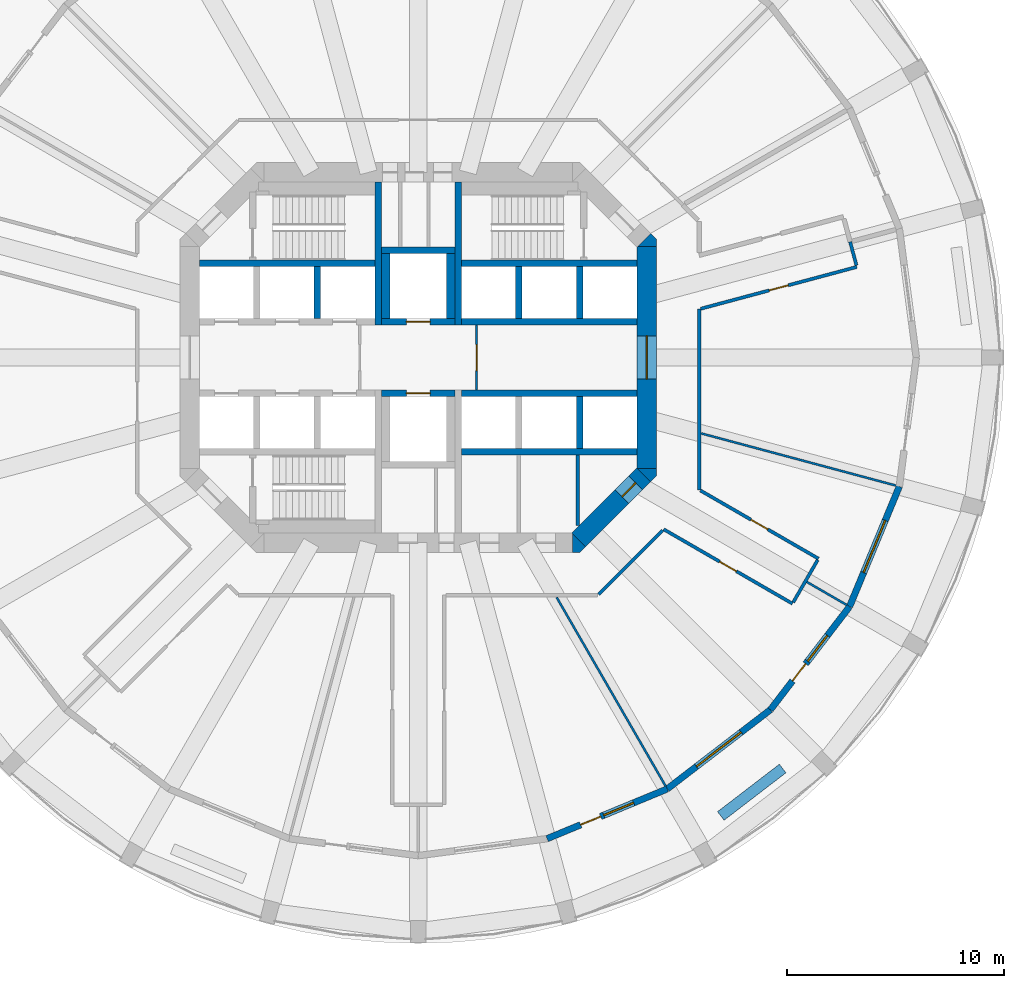
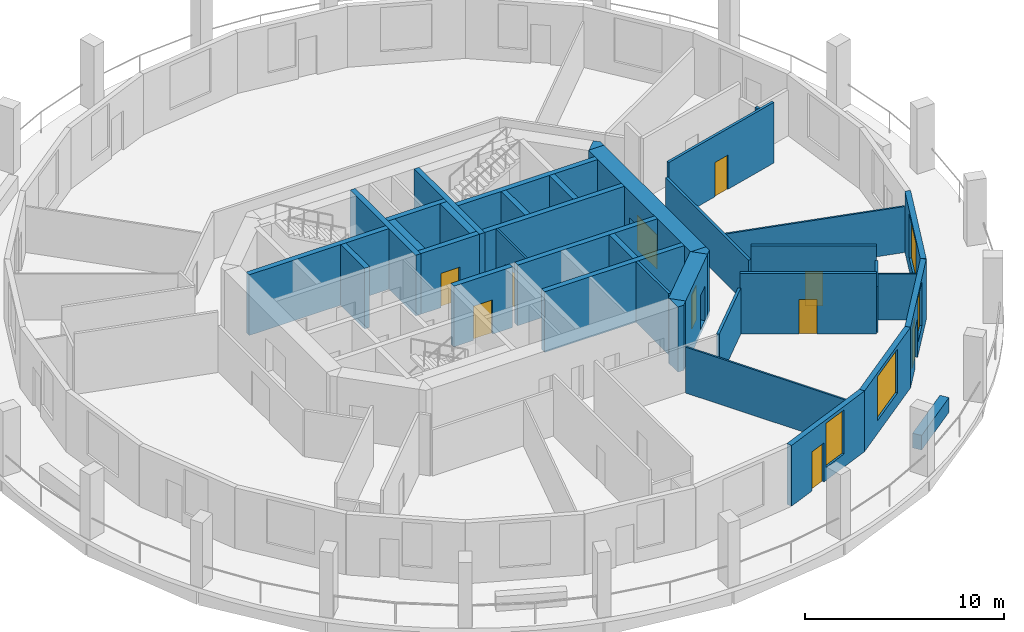
# One storey, part 4 of 9: 38 walls, 10 doors, 4 windows, 14 openings.
"""IFC4 building model written with IfcOpenShell, lengths in metres."""

from ifc_helpers import new_model, si_unit, direction, frame, frame_2d, origin, place, context, subcontext, project, spatial, polyline, rectangle, outline, extrude, material, layer, layer_set, type_object, element, fill, save


model = new_model("IFC4")

# Units and contexts
model_context = context("Model", 3, precision=1e-05, world=origin(), true_north=direction((0.0, 1.0)))
body_context = subcontext(model_context, "Body", "Model", "MODEL_VIEW")
ifc_project = project(units=[si_unit("LENGTHUNIT", "METRE"), si_unit("AREAUNIT", "SQUARE_METRE"), si_unit("VOLUMEUNIT", "CUBIC_METRE"), si_unit("PLANEANGLEUNIT", "RADIAN"), si_unit("MASSUNIT", "GRAM", prefix="KILO")], contexts=[model_context])

# Site, building, storey
site_placement = place(None, origin())
site = spatial("IfcSite", under=ifc_project, at=site_placement, CompositionType="ELEMENT")
building_placement = place(site_placement, origin())
building = spatial("IfcBuilding", under=site, at=building_placement, Name="Torre Triforio", CompositionType="ELEMENT")
storey_placement = place(building_placement, frame((0.0, 0.0, 43.0)))
storey = spatial("IfcBuildingStorey", under=building, at=storey_placement, Name="L08", CompositionType="ELEMENT", Elevation=43.0)

# Walls
ifc_material_1 = material(Name="Concrete C60", Category="concrete")
ifc_layer_1 = layer(ifc_material_1, 0.300048828125)
ifc_layer_set_1 = layer_set([ifc_layer_1], Name="Concrete C60")
wall_type_1 = type_object("IfcWallType", Name="Core wall 300 mm C60 EI 120", PredefinedType="SHEAR", material=ifc_layer_set_1)
for number, where, z_axis, x_axis, name in (
    (1, (-1.85009765625, 1.5, 0.0), (0.0, 0.0, 1.0), (0.0, 1.0, 0.0), "Core wall"),
    (2, (1.85009765625, 1.5, 0.0), (0.0, 0.0, 1.0), (0.0, 1.0, 0.0), "Core wall"),
):
    element("IfcWall", number, at=place(storey_placement, frame(where, z_axis=z_axis, x_axis=x_axis)), inside=storey, type_object=wall_type_1, Name=name, PredefinedType="SHEAR", context=body_context, shape_type="SweptSolid", body=[
        extrude(rectangle(XDim=6.60009765625, YDim=0.300048828125, at=frame_2d((3.300048828125, 0.0))), origin(), (0.0, 0.0, 1.0), 3.719970703125),
    ])

# Wall, opening, door
ifc_layer_2 = layer(ifc_material_1, 0.89990234375)
ifc_layer_set_2 = layer_set([ifc_layer_2], Name="Concrete C60")
wall_type_2 = type_object("IfcWallType", Name="Core wall 900 mm C60 EI 120", PredefinedType="SHEAR", material=ifc_layer_set_2)
wall_1_placement = place(storey_placement, frame((10.550048828125, -5.1298828125, -0.280029296875), z_axis=(0.0, 0.0, 1.0), x_axis=(0.0, 1.0, 0.0)))
wall_1 = element("IfcWall", 3, at=wall_1_placement, inside=storey, type_object=wall_type_2, Name="Core wall", PredefinedType="SHEAR", context=body_context, shape_type="SweptSolid", body=[
    extrude(rectangle(XDim=10.259765625, YDim=0.89990234375, at=frame_2d((5.1298828125, 0.0))), origin(), (0.0, 0.0, 1.0), 4.0),
])
opening_1_placement = place(wall_1_placement, frame((4.1298828125, 0.0, 0.280029296875)))
opening_1 = element("IfcOpeningElement", 4, at=opening_1_placement, cuts=wall_1, Name="Opening E-RING", PredefinedType="OPENING", context=body_context, shape_type="SweptSolid", body=[
    extrude(rectangle(XDim=2.0, YDim=2.10009765625, at=frame_2d((1.0, 1.050048828125))), frame((0.0, 0.4599609375, 0.0), z_axis=(0.0, -1.0, 0.0), x_axis=(1.0, 0.0, 0.0)), (0.0, 0.0, 1.0), 0.919921875),
])
ifc_material_2 = material(Name="Hollow metal fire door leaf")
door_type_1 = type_object("IfcDoorType", Name="Lobby door 2000 x 2100 EI 60", OperationType="DOUBLE_DOOR_SINGLE_SWING", PredefinedType="DOOR", material=ifc_material_2)
door_1_placement = place(opening_1_placement, origin())
door_1 = element("IfcDoor", 5, at=door_1_placement, inside=storey, type_object=door_type_1, Name="Core door E-RING", OperationType="DOUBLE_DOOR_SINGLE_SWING", OverallHeight=2.10009765625, OverallWidth=2.0, PredefinedType="DOOR", context=body_context, shape_type="SweptSolid", body=[
    extrude(rectangle(XDim=2.0, YDim=2.10009765625, at=frame_2d((1.0, 1.050048828125))), frame((0.0, 0.02490234375, 0.0), z_axis=(0.0, -1.0, 0.0), x_axis=(1.0, 0.0, 0.0)), (0.0, 0.0, 1.0), 0.050048828125),
])
fill(opening_1, door_1)

wall_2_placement = place(storey_placement, frame((10.418212890625, -5.418212890625, -0.280029296875), z_axis=(0.0, 0.0, 1.0), x_axis=(-0.707106781187, -0.707106781187, 0.0)))
wall_2 = element("IfcWall", 6, at=wall_2_placement, inside=storey, type_object=wall_type_2, Name="Core wall", PredefinedType="SHEAR", context=body_context, shape_type="SweptSolid", body=[
    extrude(rectangle(XDim=4.24267578125, YDim=0.89990234375, at=frame_2d((2.121337890625, 0.0))), origin(), (0.0, 0.0, 1.0), 4.0),
])
opening_2_placement = place(wall_2_placement, frame((0.52001953125, 0.0, 0.280029296875)))
opening_2 = element("IfcOpeningElement", 7, at=opening_2_placement, cuts=wall_2, Name="Opening SE-03", PredefinedType="OPENING", context=body_context, shape_type="SweptSolid", body=[
    extrude(rectangle(XDim=0.89990234375, YDim=2.10009765625, at=frame_2d((0.449951171875, 1.050048828125))), frame((0.0, 0.4599609375, 0.0), z_axis=(0.0, -1.0, 0.0), x_axis=(1.0, 0.0, 0.0)), (0.0, 0.0, 1.0), 0.919921875),
])
door_type_2 = type_object("IfcDoorType", Name="Room door 900 x 2100 EI 60", OperationType="NOTDEFINED", PredefinedType="DOOR", material=ifc_material_2)
door_2_placement = place(opening_2_placement, origin())
door_2 = element("IfcDoor", 8, at=door_2_placement, inside=storey, type_object=door_type_2, Name="Core door SE-03", OperationType="SINGLE_SWING_RIGHT", OverallHeight=2.10009765625, OverallWidth=0.89990234375, PredefinedType="DOOR", context=body_context, shape_type="SweptSolid", body=[
    extrude(rectangle(XDim=0.89990234375, YDim=2.10009765625, at=frame_2d((0.449951171875, 1.050048828125))), frame((0.0, 0.02490234375, 0.0), z_axis=(0.0, -1.0, 0.0), x_axis=(1.0, 0.0, 0.0)), (0.0, 0.0, 1.0), 0.050048828125),
])
fill(opening_2, door_2)

# Walls
wall_3_placement = place(storey_placement, frame((0.0, 0.0, -0.280029296875)))
element("IfcWall", 9, at=wall_3_placement, inside=storey, type_object=wall_type_2, Name="Core wall", PredefinedType="SHEAR", context=body_context, shape_type="SweptSolid", body=[
    extrude(outline(polyline([(7.472900390625, -9.0), (7.1298828125, -9.0), (7.1298828125, -8.1298828125), (7.736328125, -8.736328125), (7.472900390625, -9.0)])), origin(), (0.0, 0.0, 1.0), 4.0),
])
wall_4_placement = place(storey_placement, frame((0.0, 0.0, -0.280029296875)))
element("IfcWall", 10, at=wall_4_placement, inside=storey, type_object=wall_type_2, Name="Core wall", PredefinedType="SHEAR", context=body_context, shape_type="SweptSolid", body=[
    extrude(outline(polyline([(11.0, -5.472900390625), (10.736328125, -5.736328125), (10.1298828125, -5.1298828125), (11.0, -5.1298828125), (11.0, -5.472900390625)])), origin(), (0.0, 0.0, 1.0), 4.0),
])
wall_5_placement = place(storey_placement, frame((0.0, 0.0, -0.280029296875)))
element("IfcWall", 11, at=wall_5_placement, inside=storey, type_object=wall_type_2, Name="Core wall", PredefinedType="SHEAR", context=body_context, shape_type="SweptSolid", body=[
    extrude(outline(polyline([(11.0, 5.472900390625), (11.0, 5.1298828125), (10.1298828125, 5.1298828125), (10.736328125, 5.736328125), (11.0, 5.472900390625)])), origin(), (0.0, 0.0, 1.0), 4.0),
])
ifc_material_3 = material(Name="Plasterboard on metal studs")
ifc_layer_3 = layer(ifc_material_3, 0.14990234375)
ifc_layer_set_3 = layer_set([ifc_layer_3], Name="Plasterboard on metal studs")
wall_type_3 = type_object("IfcWallType", Name="Corridor and tenancy wall 150 mm EI 60", PredefinedType="PARTITIONING", material=ifc_layer_set_3)
wall_6_placement = place(storey_placement, frame((18.44482421875, -9.35009765625, 0.0), z_axis=(0.0, 0.0, 1.0), x_axis=(-0.500013631625, -0.866017533419, 0.0)))
element("IfcWall", 12, at=wall_6_placement, inside=storey, type_object=wall_type_3, Name="Partition 1", PredefinedType="PARTITIONING", context=body_context, shape_type="SweptSolid", body=[
    extrude(rectangle(XDim=2.25, YDim=0.14990234375, at=frame_2d((1.125, 0.0))), origin(), (0.0, 0.0, 1.0), 2.820068359375),
])

# Wall, opening, door
wall_7_placement = place(storey_placement, frame((17.2822265625, -11.363525390625, 0.0), z_axis=(0.0, 0.0, 1.0), x_axis=(-0.86603341746, 0.49998611965, 0.0)))
wall_7 = element("IfcWall", 13, at=wall_7_placement, inside=storey, type_object=wall_type_3, Name="Partition 2", PredefinedType="PARTITIONING", context=body_context, shape_type="SweptSolid", body=[
    extrude(rectangle(XDim=6.866455078125, YDim=0.14990234375, at=frame_2d((3.43310546875, 0.0))), origin(), (0.0, 0.0, 1.0), 3.719970703125),
])
opening_3_placement = place(wall_7_placement, frame((2.9833984375, 0.0, 0.0)))
opening_3 = element("IfcOpeningElement", 14, at=opening_3_placement, cuts=wall_7, Name="Opening N2-08", PredefinedType="OPENING", context=body_context, shape_type="SweptSolid", body=[
    extrude(rectangle(XDim=0.89990234375, YDim=2.10009765625, at=frame_2d((0.449951171875, 1.050048828125))), frame((0.0, 0.0849609375, 0.0), z_axis=(0.0, -1.0, 0.0), x_axis=(1.0, 0.0, 0.0)), (0.0, 0.0, 1.0), 0.169921875),
])
ifc_material_4 = material(Name="Timber", Category="wood")
door_type_3 = type_object("IfcDoorType", Name="Door 900 x 2100 single leaf EI 30", OperationType="NOTDEFINED", PredefinedType="DOOR", material=ifc_material_4)
door_3_placement = place(opening_3_placement, origin())
door_3 = element("IfcDoor", 15, at=door_3_placement, inside=storey, type_object=door_type_3, Name="Door N2-08", OperationType="SINGLE_SWING_RIGHT", OverallHeight=2.10009765625, OverallWidth=0.89990234375, PredefinedType="DOOR", context=body_context, shape_type="SweptSolid", body=[
    extrude(rectangle(XDim=0.89990234375, YDim=2.10009765625, at=frame_2d((0.449951171875, 1.050048828125))), frame((0.0, 0.02490234375, 0.0), z_axis=(0.0, -1.0, 0.0), x_axis=(1.0, 0.0, 0.0)), (0.0, 0.0, 1.0), 0.050048828125),
])
fill(opening_3, door_3)

# Walls
wall_8_placement = place(storey_placement, frame((11.2841796875, -7.9814453125, 0.0), z_axis=(0.0, 0.0, 1.0), x_axis=(-0.707077584218, -0.707135976949, 0.0)))
element("IfcWall", 16, at=wall_8_placement, inside=storey, type_object=wall_type_3, Name="Partition 3", PredefinedType="PARTITIONING", context=body_context, shape_type="SweptSolid", body=[
    extrude(rectangle(XDim=4.180908203125, YDim=0.14990234375, at=frame_2d((2.09033203125, 0.0))), origin(), (0.0, 0.0, 1.0), 2.820068359375),
])
wall_9_placement = place(storey_placement, frame((19.945068359375, 5.34423828125, 0.0), z_axis=(0.0, 0.0, 1.0), x_axis=(0.258891558609, -0.965906393436, 0.0)))
element("IfcWall", 17, at=wall_9_placement, inside=storey, type_object=wall_type_3, Name="Partition 26", PredefinedType="PARTITIONING", context=body_context, shape_type="SweptSolid", body=[
    extrude(rectangle(XDim=1.125, YDim=0.14990234375, at=frame_2d((0.5625, 0.0))), origin(), (0.0, 0.0, 1.0), 2.820068359375),
])

# Wall, opening, door
wall_10_placement = place(storey_placement, frame((20.255615234375, 4.185302734375, 0.0), z_axis=(0.0, 0.0, 1.0), x_axis=(-0.965924840231, -0.258822725092, 0.0)))
wall_10 = element("IfcWall", 18, at=wall_10_placement, inside=storey, type_object=wall_type_3, Name="Partition 27", PredefinedType="PARTITIONING", context=body_context, shape_type="SweptSolid", body=[
    extrude(rectangle(XDim=7.465087890625, YDim=0.14990234375, at=frame_2d((3.732421875, 0.0))), origin(), (0.0, 0.0, 1.0), 3.719970703125),
])
opening_4_placement = place(wall_10_placement, frame((3.282470703125, 0.0, 0.0)))
opening_4 = element("IfcOpeningElement", 19, at=opening_4_placement, cuts=wall_10, Name="Opening N2-10", PredefinedType="OPENING", context=body_context, shape_type="SweptSolid", body=[
    extrude(rectangle(XDim=0.89990234375, YDim=2.10009765625, at=frame_2d((0.449951171875, 1.050048828125))), frame((0.0, 0.0849609375, 0.0), z_axis=(0.0, -1.0, 0.0), x_axis=(1.0, 0.0, 0.0)), (0.0, 0.0, 1.0), 0.169921875),
])
door_4_placement = place(opening_4_placement, origin())
door_4 = element("IfcDoor", 20, at=door_4_placement, inside=storey, type_object=door_type_3, Name="Door N2-10", OperationType="SINGLE_SWING_RIGHT", OverallHeight=2.10009765625, OverallWidth=0.89990234375, PredefinedType="DOOR", context=body_context, shape_type="SweptSolid", body=[
    extrude(rectangle(XDim=0.89990234375, YDim=2.10009765625, at=frame_2d((0.449951171875, 1.050048828125))), frame((0.0, 0.02490234375, 0.0), z_axis=(0.0, -1.0, 0.0), x_axis=(1.0, 0.0, 0.0)), (0.0, 0.0, 1.0), 0.050048828125),
])
fill(opening_4, door_4)

# Wall
wall_11_placement = place(storey_placement, frame((12.97509765625, 2.234375, 0.0), z_axis=(0.0, 0.0, 1.0), x_axis=(0.0, -1.0, 0.0)))
element("IfcWall", 21, at=wall_11_placement, inside=storey, type_object=wall_type_3, Name="Partition 28", PredefinedType="PARTITIONING", context=body_context, shape_type="SweptSolid", body=[
    extrude(rectangle(XDim=8.33984375, YDim=0.14990234375, at=frame_2d((4.169921875, 0.0))), origin(), (0.0, 0.0, 1.0), 2.820068359375),
])

# Wall, opening, door
wall_12_placement = place(storey_placement, frame((13.03125, -6.137939453125, 0.0), z_axis=(0.0, 0.0, 1.0), x_axis=(0.86602669382, -0.499997765587, 0.0)))
wall_12 = element("IfcWall", 22, at=wall_12_placement, inside=storey, type_object=wall_type_3, Name="Partition 29", PredefinedType="PARTITIONING", context=body_context, shape_type="SweptSolid", body=[
    extrude(rectangle(XDim=6.29443359375, YDim=0.14990234375, at=frame_2d((3.147216796875, 0.0))), origin(), (0.0, 0.0, 1.0), 3.719970703125),
])
opening_5_placement = place(wall_12_placement, frame((2.697021484375, 0.0, 0.0)))
opening_5 = element("IfcOpeningElement", 23, at=opening_5_placement, cuts=wall_12, Name="Opening N2-09", PredefinedType="OPENING", context=body_context, shape_type="SweptSolid", body=[
    extrude(rectangle(XDim=0.89990234375, YDim=2.10009765625, at=frame_2d((0.449951171875, 1.050048828125))), frame((0.0, 0.0849609375, 0.0), z_axis=(0.0, -1.0, 0.0), x_axis=(1.0, 0.0, 0.0)), (0.0, 0.0, 1.0), 0.169921875),
])
door_5_placement = place(opening_5_placement, origin())
door_5 = element("IfcDoor", 24, at=door_5_placement, inside=storey, type_object=door_type_3, Name="Door N2-09", OperationType="SINGLE_SWING_LEFT", OverallHeight=2.10009765625, OverallWidth=0.89990234375, PredefinedType="DOOR", context=body_context, shape_type="SweptSolid", body=[
    extrude(rectangle(XDim=0.89990234375, YDim=2.10009765625, at=frame_2d((0.449951171875, 1.050048828125))), frame((0.0, 0.02490234375, 0.0), z_axis=(0.0, -1.0, 0.0), x_axis=(1.0, 0.0, 0.0)), (0.0, 0.0, 1.0), 0.050048828125),
])
fill(opening_5, door_5)

ifc_material_5 = material(Name="Block and board partition")
ifc_layer_4 = layer(ifc_material_5, 0.10009765625)
ifc_layer_set_4 = layer_set([ifc_layer_4], Name="Block and board partition")
wall_type_4 = type_object("IfcWallType", Name="Partition 100 mm EI 120", PredefinedType="PARTITIONING", material=ifc_layer_set_4)
wall_13_placement = place(storey_placement, frame((2.699951171875, -1.5, 0.0), z_axis=(0.0, 0.0, 1.0), x_axis=(0.0, 1.0, 0.0)))
wall_13 = element("IfcWall", 25, at=wall_13_placement, inside=storey, type_object=wall_type_4, Name="Partition", PredefinedType="PARTITIONING", context=body_context, shape_type="SweptSolid", body=[
    extrude(rectangle(XDim=3.0, YDim=0.10009765625, at=frame_2d((1.5, 0.0))), origin(), (0.0, 0.0, 1.0), 3.719970703125),
])
opening_6_placement = place(wall_13_placement, frame((0.89990234375, 0.0, 0.0)))
opening_6 = element("IfcOpeningElement", 26, at=opening_6_placement, cuts=wall_13, Name="Opening FF-E", PredefinedType="OPENING", context=body_context, shape_type="SweptSolid", body=[
    extrude(rectangle(XDim=1.199951171875, YDim=2.10009765625, at=frame_2d((0.60009765625, 1.050048828125))), frame((0.0, 0.06005859375, 0.0), z_axis=(0.0, -1.0, 0.0), x_axis=(1.0, 0.0, 0.0)), (0.0, 0.0, 1.0), 0.1201171875),
])
door_type_4 = type_object("IfcDoorType", Name="Fire-fighting lobby door 1200 x 2100 EI 60", OperationType="NOTDEFINED", PredefinedType="DOOR", material=ifc_material_2)
door_6_placement = place(opening_6_placement, origin())
door_6 = element("IfcDoor", 27, at=door_6_placement, inside=storey, type_object=door_type_4, Name="Core door FF-E", OperationType="SINGLE_SWING_RIGHT", OverallHeight=2.10009765625, OverallWidth=1.199951171875, PredefinedType="DOOR", context=body_context, shape_type="SweptSolid", body=[
    extrude(rectangle(XDim=1.199951171875, YDim=2.10009765625, at=frame_2d((0.60009765625, 1.050048828125))), frame((0.0, 0.02490234375, 0.0), z_axis=(0.0, -1.0, 0.0), x_axis=(1.0, 0.0, 0.0)), (0.0, 0.0, 1.0), 0.050048828125),
])
fill(opening_6, door_6)

# Walls
ifc_layer_5 = layer(ifc_material_3, 0.10009765625)
ifc_layer_set_5 = layer_set([ifc_layer_5], Name="Plasterboard on metal studs")
wall_type_5 = type_object("IfcWallType", Name="Partition 100 mm board on metal studs", PredefinedType="PARTITIONING", material=ifc_layer_set_5)
wall_14_placement = place(storey_placement, frame((6.393798828125, -11.07470703125, 0.0), z_axis=(0.0, 0.0, 1.0), x_axis=(0.500024592647, -0.866011204747, 0.0)))
element("IfcWall", 28, at=wall_14_placement, inside=storey, type_object=wall_type_5, Name="Partition 39", PredefinedType="PARTITIONING", context=body_context, shape_type="SweptSolid", body=[
    extrude(rectangle(XDim=10.048828125, YDim=0.10009765625, at=frame_2d((5.0244140625, 0.0))), origin(), (0.0, 0.0, 1.0), 2.820068359375),
])
wall_15_placement = place(storey_placement, frame((17.947265625, -10.36181640625, 0.0), z_axis=(0.0, 0.0, 1.0), x_axis=(0.865987390988, -0.500065834316, 0.0)))
element("IfcWall", 29, at=wall_15_placement, inside=storey, type_object=wall_type_5, Name="Partition 40", PredefinedType="PARTITIONING", context=body_context, shape_type="SweptSolid", body=[
    extrude(rectangle(XDim=2.113037109375, YDim=0.10009765625, at=frame_2d((1.056640625, 0.0))), origin(), (0.0, 0.0, 1.0), 2.820068359375),
])
wall_16_placement = place(storey_placement, frame((13.064208984375, -3.50048828125, 0.0), z_axis=(0.0, 0.0, 1.0), x_axis=(0.965922655056, -0.258830880017, 0.0)))
element("IfcWall", 30, at=wall_16_placement, inside=storey, type_object=wall_type_5, Name="Partition 41", PredefinedType="PARTITIONING", context=body_context, shape_type="SweptSolid", body=[
    extrude(rectangle(XDim=9.311767578125, YDim=0.10009765625, at=frame_2d((4.65576171875, 0.0))), origin(), (0.0, 0.0, 1.0), 2.820068359375),
])
ifc_layer_6 = layer(ifc_material_5, 0.14990234375)
ifc_layer_set_6 = layer_set([ifc_layer_6], Name="Block and board partition")
wall_type_6 = type_object("IfcWallType", Name="Partition 150 mm", PredefinedType="PARTITIONING", material=ifc_layer_set_6)
wall_17_placement = place(storey_placement, frame((7.373046875, -7.751953125, 0.0), z_axis=(0.0, 0.0, 1.0), x_axis=(0.0, 1.0, 0.0)))
element("IfcWall", 31, at=wall_17_placement, inside=storey, type_object=wall_type_6, Name="Partition", PredefinedType="PARTITIONING", context=body_context, shape_type="SweptSolid", body=[
    extrude(rectangle(XDim=3.251953125, YDim=0.14990234375, at=frame_2d((1.6259765625, 0.0))), origin(), (0.0, 0.0, 1.0), 3.719970703125),
])
ifc_material_6 = material(Name="Limestone cladding", Category="masonry")
ifc_layer_7 = layer(ifc_material_6, 0.10009765625)
ifc_material_7 = material(Name="Concrete C40", Category="concrete")
ifc_layer_8 = layer(ifc_material_7, 0.39990234375)
ifc_layer_set_7 = layer_set([ifc_layer_7, ifc_layer_8], Name="Limestone cladding / Concrete C40")
wall_type_7 = type_object("IfcWallType", Name="Planter wall 500", PredefinedType="PARAPET", material=ifc_layer_set_7)
wall_18_placement = place(storey_placement, frame((13.9736328125, -21.16748046875, 0.0), z_axis=(0.0, 0.0, 1.0), x_axis=(0.793359599829, 0.608753271334, 0.0)))
element("IfcWall", 32, at=wall_18_placement, inside=storey, type_object=wall_type_7, Name="Planter L08 bay 21", PredefinedType="PARAPET", context=body_context, shape_type="SweptSolid", body=[
    extrude(rectangle(XDim=3.599853515625, YDim=0.5, at=frame_2d((1.7998046875, 0.0))), origin(), (0.0, 0.0, 1.0), 0.89990234375),
])
ifc_layer_9 = layer(ifc_material_1, 0.300048828125)
ifc_layer_set_8 = layer_set([ifc_layer_9], Name="Concrete C60")
wall_type_8 = type_object("IfcWallType", Name="Shaft wall 300 mm C60 EI 120", PredefinedType="SOLIDWALL", material=ifc_layer_set_8)
for number, where, z_axis, x_axis, name in (
    (33, (-10.10009765625, 4.35009765625, 0.0), (0.0, 0.0, 1.0), (1.0, 0.0, 0.0), "Shaft wall"),
    (34, (2.0, 4.35009765625, 0.0), (0.0, 0.0, 1.0), (1.0, 0.0, 0.0), "Shaft wall"),
    (35, (2.0, -4.35009765625, 0.0), (0.0, 0.0, 1.0), (1.0, 0.0, 0.0), "Shaft wall"),
    (36, (2.0, 1.64990234375, 0.0), (0.0, 0.0, 1.0), (1.0, 0.0, 0.0), "Shaft wall"),
    (37, (2.0, -1.64990234375, 0.0), (0.0, 0.0, 1.0), (1.0, 0.0, 0.0), "Shaft wall"),
):
    element("IfcWall", number, at=place(storey_placement, frame(where, z_axis=z_axis, x_axis=x_axis)), inside=storey, type_object=wall_type_8, Name=name, PredefinedType="SOLIDWALL", context=body_context, shape_type="SweptSolid", body=[
        extrude(rectangle(XDim=8.10009765625, YDim=0.300048828125, at=frame_2d((4.050048828125, 0.0))), origin(), (0.0, 0.0, 1.0), 3.719970703125),
    ])
for number, where, z_axis, x_axis, name in (
    (38, (-4.64990234375, 1.800048828125, 0.0), (0.0, 0.0, 1.0), (0.0, 1.0, 0.0), "Shaft wall"),
    (39, (4.64990234375, 1.800048828125, 0.0), (0.0, 0.0, 1.0), (0.0, 1.0, 0.0), "Shaft wall"),
    (40, (7.449951171875, 1.800048828125, 0.0), (0.0, 0.0, 1.0), (0.0, 1.0, 0.0), "Shaft wall"),
    (41, (7.449951171875, -4.199951171875, 0.0), (0.0, 0.0, 1.0), (0.0, 1.0, 0.0), "Shaft wall"),
):
    element("IfcWall", number, at=place(storey_placement, frame(where, z_axis=z_axis, x_axis=x_axis)), inside=storey, type_object=wall_type_8, Name=name, PredefinedType="SOLIDWALL", context=body_context, shape_type="SweptSolid", body=[
        extrude(rectangle(XDim=2.39990234375, YDim=0.300048828125, at=frame_2d((1.199951171875, 0.0))), origin(), (0.0, 0.0, 1.0), 3.719970703125),
    ])

# Wall, opening, door
wall_19_placement = place(storey_placement, frame((-1.699951171875, 1.64990234375, 0.0), z_axis=(0.0, 0.0, 1.0), x_axis=(1.0, 0.0, 0.0)))
wall_19 = element("IfcWall", 42, at=wall_19_placement, inside=storey, type_object=wall_type_8, Name="Shaft wall", PredefinedType="SOLIDWALL", context=body_context, shape_type="SweptSolid", body=[
    extrude(rectangle(XDim=3.39990234375, YDim=0.300048828125, at=frame_2d((1.699951171875, 0.0))), origin(), (0.0, 0.0, 1.0), 3.719970703125),
])
opening_7_placement = place(wall_19_placement, frame((1.14990234375, 0.0, 0.0)))
opening_7 = element("IfcOpeningElement", 43, at=opening_7_placement, cuts=wall_19, Name="Opening LD", PredefinedType="OPENING", context=body_context, shape_type="SweptSolid", body=[
    extrude(rectangle(XDim=1.10009765625, YDim=2.10009765625, at=frame_2d((0.550048828125, 1.050048828125))), frame((0.0, 0.159912109375, 0.0), z_axis=(0.0, -1.0, 0.0), x_axis=(1.0, 0.0, 0.0)), (0.0, 0.0, 1.0), 0.320068359375),
])
door_type_5 = type_object("IfcDoorType", Name="Landing door 1100 x 2100 EI 60", OperationType="DOUBLE_DOOR_SLIDING", PredefinedType="DOOR", material=ifc_material_2)
door_7_placement = place(opening_7_placement, origin())
door_7 = element("IfcDoor", 44, at=door_7_placement, inside=storey, type_object=door_type_5, Name="Landing door FFL1", OperationType="DOUBLE_DOOR_SLIDING", OverallHeight=2.10009765625, OverallWidth=1.10009765625, PredefinedType="DOOR", context=body_context, shape_type="SweptSolid", body=[
    extrude(rectangle(XDim=1.10009765625, YDim=2.10009765625, at=frame_2d((0.550048828125, 1.050048828125))), frame((0.0, 0.02490234375, 0.0), z_axis=(0.0, -1.0, 0.0), x_axis=(1.0, 0.0, 0.0)), (0.0, 0.0, 1.0), 0.050048828125),
])
fill(opening_7, door_7)

wall_20_placement = place(storey_placement, frame((-1.699951171875, -1.64990234375, 0.0), z_axis=(0.0, 0.0, 1.0), x_axis=(1.0, 0.0, 0.0)))
wall_20 = element("IfcWall", 45, at=wall_20_placement, inside=storey, type_object=wall_type_8, Name="Shaft wall", PredefinedType="SOLIDWALL", context=body_context, shape_type="SweptSolid", body=[
    extrude(rectangle(XDim=3.39990234375, YDim=0.300048828125, at=frame_2d((1.699951171875, 0.0))), origin(), (0.0, 0.0, 1.0), 3.719970703125),
])
opening_8_placement = place(wall_20_placement, frame((1.14990234375, 0.0, 0.0)))
opening_8 = element("IfcOpeningElement", 46, at=opening_8_placement, cuts=wall_20, Name="Opening LD", PredefinedType="OPENING", context=body_context, shape_type="SweptSolid", body=[
    extrude(rectangle(XDim=1.10009765625, YDim=2.10009765625, at=frame_2d((0.550048828125, 1.050048828125))), frame((0.0, 0.159912109375, 0.0), z_axis=(0.0, -1.0, 0.0), x_axis=(1.0, 0.0, 0.0)), (0.0, 0.0, 1.0), 0.320068359375),
])
door_8_placement = place(opening_8_placement, origin())
door_8 = element("IfcDoor", 47, at=door_8_placement, inside=storey, type_object=door_type_5, Name="Landing door FFL2", OperationType="DOUBLE_DOOR_SLIDING", OverallHeight=2.10009765625, OverallWidth=1.10009765625, PredefinedType="DOOR", context=body_context, shape_type="SweptSolid", body=[
    extrude(rectangle(XDim=1.10009765625, YDim=2.10009765625, at=frame_2d((0.550048828125, 1.050048828125))), frame((0.0, 0.02490234375, 0.0), z_axis=(0.0, -1.0, 0.0), x_axis=(1.0, 0.0, 0.0)), (0.0, 0.0, 1.0), 0.050048828125),
])
fill(opening_8, door_8)

# Walls
wall_21_placement = place(storey_placement, frame((-1.699951171875, 4.949951171875, 0.0), z_axis=(0.0, 0.0, 1.0), x_axis=(1.0, 0.0, 0.0)))
element("IfcWall", 48, at=wall_21_placement, inside=storey, type_object=wall_type_8, Name="Shaft wall", PredefinedType="SOLIDWALL", context=body_context, shape_type="SweptSolid", body=[
    extrude(rectangle(XDim=3.39990234375, YDim=0.300048828125, at=frame_2d((1.699951171875, 0.0))), origin(), (0.0, 0.0, 1.0), 3.719970703125),
])
ifc_layer_10 = layer(ifc_material_1, 0.39990234375)
ifc_layer_set_9 = layer_set([ifc_layer_10], Name="Concrete C60")
wall_type_9 = type_object("IfcWallType", Name="Shaft wall 400 mm C60 EI 120", PredefinedType="SOLIDWALL", material=ifc_layer_set_9)
for number, where, z_axis, x_axis, name in (
    (49, (-1.5, 1.800048828125, 0.0), (0.0, 0.0, 1.0), (0.0, 1.0, 0.0), "Shaft wall"),
    (50, (1.5, 1.800048828125, 0.0), (0.0, 0.0, 1.0), (0.0, 1.0, 0.0), "Shaft wall"),
):
    element("IfcWall", number, at=place(storey_placement, frame(where, z_axis=z_axis, x_axis=x_axis)), inside=storey, type_object=wall_type_9, Name=name, PredefinedType="SOLIDWALL", context=body_context, shape_type="SweptSolid", body=[
        extrude(rectangle(XDim=3.0, YDim=0.39990234375, at=frame_2d((1.5, 0.0))), origin(), (0.0, 0.0, 1.0), 3.719970703125),
    ])

# Wall, openings, door, window
ifc_layer_11 = layer(ifc_material_6, 0.10009765625)
ifc_layer_12 = layer(ifc_material_7, 0.199951171875)
ifc_layer_set_10 = layer_set([ifc_layer_11, ifc_layer_12], Name="Limestone cladding / Concrete C40")
wall_type_10 = type_object("IfcWallType", Name="Stone-faced composite wall 300", PredefinedType="STANDARD", material=ifc_layer_set_10)
wall_22_placement = place(storey_placement, frame((5.952880859375, -22.21630859375, 0.0), z_axis=(0.0, 0.0, 1.0), x_axis=(0.923884511653, 0.382671411433, 0.0)))
wall_22 = element("IfcWall", 51, at=wall_22_placement, inside=storey, type_object=wall_type_10, Name="External wall L08 bay 20", PredefinedType="STANDARD", context=body_context, shape_type="SweptSolid", body=[
    extrude(rectangle(XDim=6.004150390625, YDim=0.300048828125, at=frame_2d((3.001953125, 0.0))), origin(), (0.0, 0.0, 1.0), 3.719970703125),
])
opening_9_placement = place(wall_22_placement, frame((1.677001953125, 0.0, 0.0)))
opening_9 = element("IfcOpeningElement", 52, at=opening_9_placement, cuts=wall_22, Name="Opening N2-D20", PredefinedType="OPENING", context=body_context, shape_type="SweptSolid", body=[
    extrude(rectangle(XDim=1.0, YDim=2.39990234375, at=frame_2d((0.5, 1.199951171875))), frame((0.0, 0.159912109375, 0.0), z_axis=(0.0, -1.0, 0.0), x_axis=(1.0, 0.0, 0.0)), (0.0, 0.0, 1.0), 0.320068359375),
])
opening_10_placement = place(wall_22_placement, frame((2.8271484375, 0.0, 0.800048828125)))
opening_10 = element("IfcOpeningElement", 53, at=opening_10_placement, cuts=wall_22, Name="Opening N2-W20A", PredefinedType="OPENING", context=body_context, shape_type="SweptSolid", body=[
    extrude(rectangle(XDim=1.5, YDim=2.699951171875, at=frame_2d((0.75, 1.35009765625))), frame((0.0, 0.159912109375, 0.0), z_axis=(0.0, -1.0, 0.0), x_axis=(1.0, 0.0, 0.0)), (0.0, 0.0, 1.0), 0.320068359375),
])
ifc_material_8 = material(Name="Aluminium frame with clear double glazing", Category="aluminium")
door_type_6 = type_object("IfcDoorType", Name="Loggia door 1000 x 2400", OperationType="NOTDEFINED", PredefinedType="DOOR", material=ifc_material_8)
door_9_placement = place(opening_9_placement, origin())
door_9 = element("IfcDoor", 54, at=door_9_placement, inside=storey, type_object=door_type_6, Name="Loggia door L08 bay 20", OperationType="SINGLE_SWING_RIGHT", OverallHeight=2.39990234375, OverallWidth=1.0, PredefinedType="DOOR", context=body_context, shape_type="SweptSolid", body=[
    extrude(rectangle(XDim=1.0, YDim=2.39990234375, at=frame_2d((0.5, 1.199951171875))), frame((0.0, 0.02490234375, 0.0), z_axis=(0.0, -1.0, 0.0), x_axis=(1.0, 0.0, 0.0)), (0.0, 0.0, 1.0), 0.050048828125),
])
fill(opening_9, door_9)
window_type_1 = type_object("IfcWindowType", Name="Side window 1500 x 2700", PartitioningType="SINGLE_PANEL", PredefinedType="WINDOW", material=ifc_material_8)
window_1_placement = place(opening_10_placement, origin())
window_1 = element("IfcWindow", 55, at=window_1_placement, inside=storey, type_object=window_type_1, Name="Side window EWN12 L08 bay 20", OverallHeight=2.699951171875, OverallWidth=1.5, PartitioningType="SINGLE_PANEL", PredefinedType="WINDOW", context=body_context, shape_type="SweptSolid", body=[
    extrude(rectangle(XDim=1.5, YDim=2.699951171875, at=frame_2d((0.75, 1.35009765625))), frame((0.0, 0.030029296875, 0.0), z_axis=(0.0, -1.0, 0.0), x_axis=(1.0, 0.0, 0.0)), (0.0, 0.0, 1.0), 0.06005859375),
])
fill(opening_10, window_1)

# Wall, opening, window
wall_23_placement = place(storey_placement, frame((11.5, -19.918701171875, 0.0), z_axis=(0.0, 0.0, 1.0), x_axis=(0.793339924758, 0.608778912074, 0.0)))
wall_23 = element("IfcWall", 56, at=wall_23_placement, inside=storey, type_object=wall_type_10, Name="External wall L08 bay 21", PredefinedType="STANDARD", context=body_context, shape_type="SweptSolid", body=[
    extrude(rectangle(XDim=6.004150390625, YDim=0.300048828125, at=frame_2d((3.001953125, 0.0))), origin(), (0.0, 0.0, 1.0), 3.719970703125),
])
opening_11_placement = place(wall_23_placement, frame((1.7021484375, 0.0, 0.800048828125)))
opening_11 = element("IfcOpeningElement", 57, at=opening_11_placement, cuts=wall_23, Name="Opening N2-W21", PredefinedType="OPENING", context=body_context, shape_type="SweptSolid", body=[
    extrude(rectangle(XDim=2.60009765625, YDim=2.699951171875, at=frame_2d((1.300048828125, 1.35009765625))), frame((0.0, 0.159912109375, 0.0), z_axis=(0.0, -1.0, 0.0), x_axis=(1.0, 0.0, 0.0)), (0.0, 0.0, 1.0), 0.320068359375),
])
window_type_2 = type_object("IfcWindowType", Name="Punched window 2600 x 2700", PartitioningType="DOUBLE_PANEL_VERTICAL", PredefinedType="WINDOW", material=ifc_material_8)
window_2_placement = place(opening_11_placement, origin())
window_2 = element("IfcWindow", 58, at=window_2_placement, inside=storey, type_object=window_type_2, Name="Window EWN2 L08 bay 21", OverallHeight=2.699951171875, OverallWidth=2.60009765625, PartitioningType="SINGLE_PANEL", PredefinedType="WINDOW", context=body_context, shape_type="SweptSolid", body=[
    extrude(rectangle(XDim=2.60009765625, YDim=2.699951171875, at=frame_2d((1.300048828125, 1.35009765625))), frame((0.0, 0.030029296875, 0.0), z_axis=(0.0, -1.0, 0.0), x_axis=(1.0, 0.0, 0.0)), (0.0, 0.0, 1.0), 0.06005859375),
])
fill(opening_11, window_2)

# Wall, openings, door, window
wall_24_placement = place(storey_placement, frame((16.263427734375, -16.263427734375, 0.0), z_axis=(0.0, 0.0, 1.0), x_axis=(0.608778912074, 0.793339924758, 0.0)))
wall_24 = element("IfcWall", 59, at=wall_24_placement, inside=storey, type_object=wall_type_10, Name="External wall L08 bay 22", PredefinedType="STANDARD", context=body_context, shape_type="SweptSolid", body=[
    extrude(rectangle(XDim=6.004150390625, YDim=0.300048828125, at=frame_2d((3.001953125, 0.0))), origin(), (0.0, 0.0, 1.0), 3.719970703125),
])
opening_12_placement = place(wall_24_placement, frame((1.677001953125, 0.0, 0.0)))
opening_12 = element("IfcOpeningElement", 60, at=opening_12_placement, cuts=wall_24, Name="Opening N2-D22", PredefinedType="OPENING", context=body_context, shape_type="SweptSolid", body=[
    extrude(rectangle(XDim=1.0, YDim=2.39990234375, at=frame_2d((0.5, 1.199951171875))), frame((0.0, 0.159912109375, 0.0), z_axis=(0.0, -1.0, 0.0), x_axis=(1.0, 0.0, 0.0)), (0.0, 0.0, 1.0), 0.320068359375),
])
opening_13_placement = place(wall_24_placement, frame((2.8271484375, 0.0, 0.800048828125)))
opening_13 = element("IfcOpeningElement", 61, at=opening_13_placement, cuts=wall_24, Name="Opening N2-W22A", PredefinedType="OPENING", context=body_context, shape_type="SweptSolid", body=[
    extrude(rectangle(XDim=1.5, YDim=2.699951171875, at=frame_2d((0.75, 1.35009765625))), frame((0.0, 0.159912109375, 0.0), z_axis=(0.0, -1.0, 0.0), x_axis=(1.0, 0.0, 0.0)), (0.0, 0.0, 1.0), 0.320068359375),
])
door_10_placement = place(opening_12_placement, origin())
door_10 = element("IfcDoor", 62, at=door_10_placement, inside=storey, type_object=door_type_6, Name="Loggia door L08 bay 22", OperationType="SINGLE_SWING_LEFT", OverallHeight=2.39990234375, OverallWidth=1.0, PredefinedType="DOOR", context=body_context, shape_type="SweptSolid", body=[
    extrude(rectangle(XDim=1.0, YDim=2.39990234375, at=frame_2d((0.5, 1.199951171875))), frame((0.0, 0.02490234375, 0.0), z_axis=(0.0, -1.0, 0.0), x_axis=(1.0, 0.0, 0.0)), (0.0, 0.0, 1.0), 0.050048828125),
])
fill(opening_12, door_10)
window_3_placement = place(opening_13_placement, origin())
window_3 = element("IfcWindow", 63, at=window_3_placement, inside=storey, type_object=window_type_1, Name="Side window EWN12 L08 bay 22", OverallHeight=2.699951171875, OverallWidth=1.5, PartitioningType="SINGLE_PANEL", PredefinedType="WINDOW", context=body_context, shape_type="SweptSolid", body=[
    extrude(rectangle(XDim=1.5, YDim=2.699951171875, at=frame_2d((0.75, 1.35009765625))), frame((0.0, 0.030029296875, 0.0), z_axis=(0.0, -1.0, 0.0), x_axis=(1.0, 0.0, 0.0)), (0.0, 0.0, 1.0), 0.06005859375),
])
fill(opening_13, window_3)

# Wall, opening, window
wall_25_placement = place(storey_placement, frame((19.918701171875, -11.5, 0.0), z_axis=(0.0, 0.0, 1.0), x_axis=(0.382671411433, 0.923884511653, 0.0)))
wall_25 = element("IfcWall", 64, at=wall_25_placement, inside=storey, type_object=wall_type_10, Name="External wall L08 bay 23", PredefinedType="STANDARD", context=body_context, shape_type="SweptSolid", body=[
    extrude(rectangle(XDim=6.004150390625, YDim=0.300048828125, at=frame_2d((3.001953125, 0.0))), origin(), (0.0, 0.0, 1.0), 3.719970703125),
])
opening_14_placement = place(wall_25_placement, frame((1.7021484375, 0.0, 0.800048828125)))
opening_14 = element("IfcOpeningElement", 65, at=opening_14_placement, cuts=wall_25, Name="Opening N2-W23", PredefinedType="OPENING", context=body_context, shape_type="SweptSolid", body=[
    extrude(rectangle(XDim=2.60009765625, YDim=2.699951171875, at=frame_2d((1.300048828125, 1.35009765625))), frame((0.0, 0.159912109375, 0.0), z_axis=(0.0, -1.0, 0.0), x_axis=(1.0, 0.0, 0.0)), (0.0, 0.0, 1.0), 0.320068359375),
])
window_4_placement = place(opening_14_placement, origin())
window_4 = element("IfcWindow", 66, at=window_4_placement, inside=storey, type_object=window_type_2, Name="Window EWN2 L08 bay 23", OverallHeight=2.699951171875, OverallWidth=2.60009765625, PartitioningType="SINGLE_PANEL", PredefinedType="WINDOW", context=body_context, shape_type="SweptSolid", body=[
    extrude(rectangle(XDim=2.60009765625, YDim=2.699951171875, at=frame_2d((1.300048828125, 1.35009765625))), frame((0.0, 0.030029296875, 0.0), z_axis=(0.0, -1.0, 0.0), x_axis=(1.0, 0.0, 0.0)), (0.0, 0.0, 1.0), 0.06005859375),
])
fill(opening_14, window_4)

save(model, "model.ifc")
